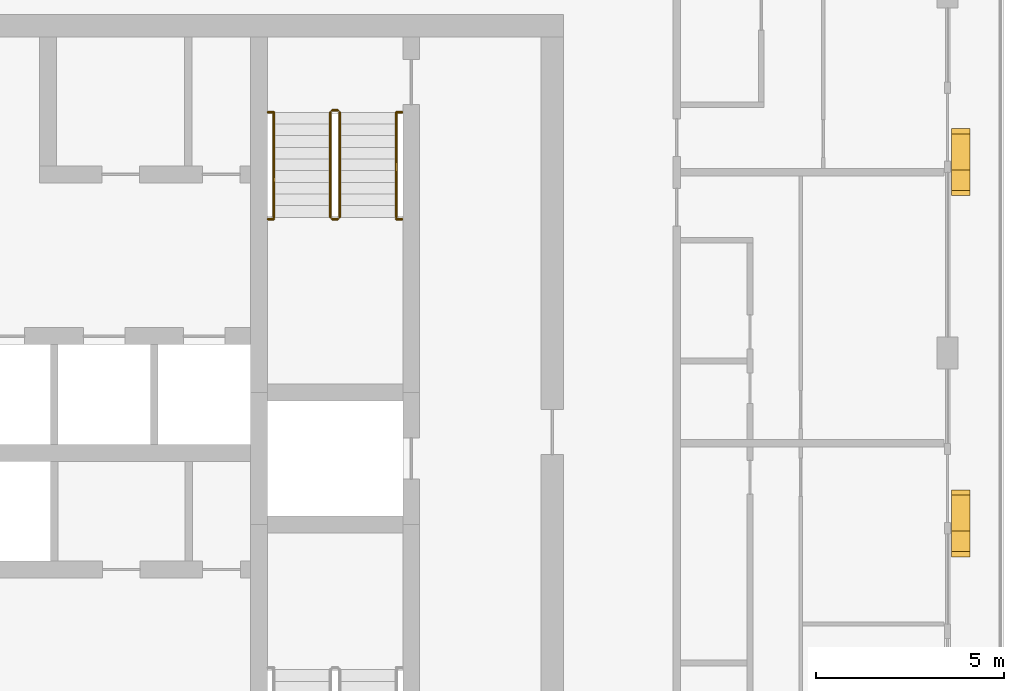
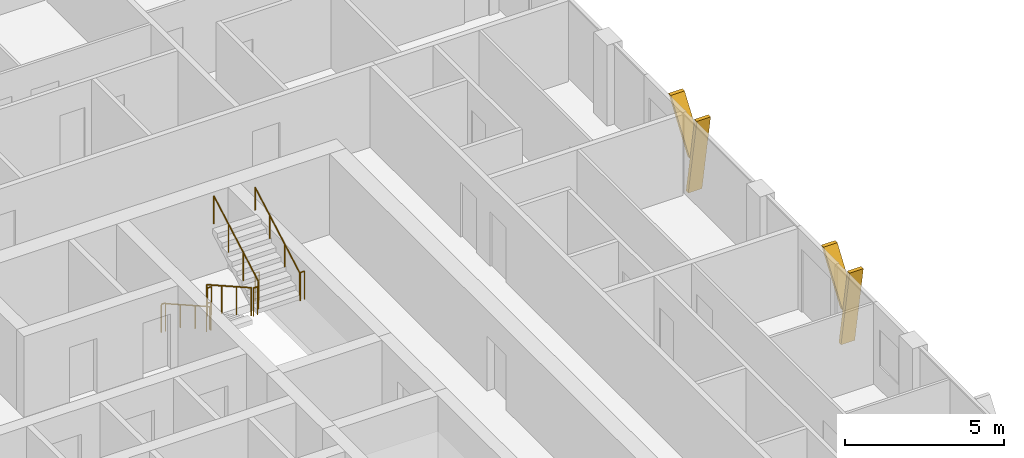
# One storey, part 21 of 22: 10 railings, 4 shading devices.
"""IFC4 building model written with IfcOpenShell, lengths in metres."""

from ifc_helpers import new_model, si_unit, direction, frame, origin, origin_2d, place, context, subcontext, project, spatial, polyline, circle, outline, extrude, material, type_object, element, save


model = new_model("IFC4")

# Units and contexts
model_context = context("Model", 3, precision=1e-05, world=origin(), true_north=direction((0.0, 1.0)))
body_context = subcontext(model_context, "Body", "Model", "MODEL_VIEW")
ifc_project = project(units=[si_unit("LENGTHUNIT", "METRE"), si_unit("AREAUNIT", "SQUARE_METRE"), si_unit("VOLUMEUNIT", "CUBIC_METRE"), si_unit("PLANEANGLEUNIT", "RADIAN"), si_unit("MASSUNIT", "GRAM", prefix="KILO")], contexts=[model_context])

# Site, building, storey
site_placement = place(None, origin())
site = spatial("IfcSite", under=ifc_project, at=site_placement, CompositionType="ELEMENT")
building_placement = place(site_placement, origin())
building = spatial("IfcBuilding", under=site, at=building_placement, Name="Madar Terraces", CompositionType="ELEMENT")
storey_placement = place(building_placement, frame((0.0, 0.0, 259.699951171875)))
storey = spatial("IfcBuildingStorey", under=building, at=storey_placement, Name="L68", CompositionType="ELEMENT", Elevation=259.699951171875)

# Shading devices
ifc_material_1 = material(Name="Aluminium, black anodised", Category="aluminium")
shading_device_type = type_object("IfcShadingDeviceType", Name="Facade fin blade 140 x 500", PredefinedType="USERDEFINED", material=ifc_material_1)
shading_device_1_placement = place(storey_placement, frame((57.949951171875, 23.929931640625, 0.0), z_axis=(0.0, 0.0, 1.0), x_axis=(0.0, 1.0, 0.0)))
element("IfcShadingDevice", 1, at=shading_device_1_placement, inside=storey, type_object=shading_device_type, Name="FIN L68 E2", ObjectType="FIN", PredefinedType="USERDEFINED", context=body_context, shape_type="SweptSolid", body=[
    extrude(outline(polyline([(0.0, 0.0), (0.14013671875, 0.0), (-0.403076171875, 3.080078125), (-0.54296875, 3.080078125), (0.0, 0.0)])), frame((0.0, 0.25, 0.0), z_axis=(0.0, -1.0, 0.0), x_axis=(1.0, 0.0, 0.0)), (0.0, 0.0, 1.0), 0.5),
])
shading_device_2_placement = place(storey_placement, frame((57.949951171875, 23.82568359375, 1.385986328125), z_axis=(0.0, 0.0, 1.0), x_axis=(0.0, 1.0, 0.0)))
element("IfcShadingDevice", 2, at=shading_device_2_placement, inside=storey, type_object=shading_device_type, Name="FIN L68 E2 branch", ObjectType="FIN", PredefinedType="USERDEFINED", context=body_context, shape_type="SweptSolid", body=[
    extrude(outline(polyline([(0.0, 0.0), (0.139892578125, 0.0), (1.34130859375, 1.694091796875), (1.201416015625, 1.694091796875), (0.0, 0.0)])), frame((0.0, 0.25, 0.0), z_axis=(0.0, -1.0, 0.0), x_axis=(1.0, 0.0, 0.0)), (0.0, 0.0, 1.0), 0.5),
])
shading_device_3_placement = place(storey_placement, frame((57.949951171875, 33.530029296875, 0.0), z_axis=(0.0, 0.0, 1.0), x_axis=(0.0, 1.0, 0.0)))
element("IfcShadingDevice", 3, at=shading_device_3_placement, inside=storey, type_object=shading_device_type, Name="FIN L68 E3", ObjectType="FIN", PredefinedType="USERDEFINED", context=body_context, shape_type="SweptSolid", body=[
    extrude(outline(polyline([(0.0, 0.0), (0.139892578125, 0.0), (-0.403076171875, 3.080078125), (-0.54296875, 3.080078125), (0.0, 0.0)])), frame((0.0, 0.25, 0.0), z_axis=(0.0, -1.0, 0.0), x_axis=(1.0, 0.0, 0.0)), (0.0, 0.0, 1.0), 0.5),
])
shading_device_4_placement = place(storey_placement, frame((57.949951171875, 33.425537109375, 1.385986328125), z_axis=(0.0, 0.0, 1.0), x_axis=(0.0, 1.0, 0.0)))
element("IfcShadingDevice", 4, at=shading_device_4_placement, inside=storey, type_object=shading_device_type, Name="FIN L68 E3 branch", ObjectType="FIN", PredefinedType="USERDEFINED", context=body_context, shape_type="SweptSolid", body=[
    extrude(outline(polyline([(0.0, 0.0), (0.14013671875, 0.0), (1.34130859375, 1.694091796875), (1.201416015625, 1.694091796875), (0.0, 0.0)])), frame((0.0, 0.25, 0.0), z_axis=(0.0, -1.0, 0.0), x_axis=(1.0, 0.0, 0.0)), (0.0, 0.0, 1.0), 0.5),
])

# Railings
ifc_material_2 = material(Name="Stainless steel railing", Category="steel")
railing_type_1 = type_object("IfcRailingType", Name="Stair guard 1100", PredefinedType="GUARDRAIL", material=ifc_material_2)
railing_1_placement = place(storey_placement, frame((41.199951171875, 35.199951171875, 0.175048828125)))
element("IfcRailing", 5, at=railing_1_placement, inside=storey, type_object=railing_type_1, Name="L68 ST2 stair guard 1", PredefinedType="GUARDRAIL", context=body_context, shape_type="SweptSolid", body=[
    extrude(circle(Radius=0.02392578125, at=origin_2d()), frame((0.0, 0.0, 1.076171875), z_axis=(0.0, -0.870833779661, 0.491577591232), x_axis=(1.0, 0.0, 0.0)), (0.0, 0.0, 1.0), 3.203857421875),
    extrude(circle(Radius=0.02099609375, at=origin_2d()), origin(), (0.0, 0.0, 1.0), 1.052001953125),
    extrude(circle(Radius=0.02099609375, at=origin_2d()), frame((0.0, -0.929931640625, 0.52490234375)), (0.0, 0.0, 1.0), 1.052001953125),
    extrude(circle(Radius=0.02099609375, at=origin_2d()), frame((0.0, -1.860107421875, 1.050048828125)), (0.0, 0.0, 1.0), 1.052001953125),
    extrude(circle(Radius=0.02099609375, at=origin_2d()), frame((0.0, -2.7900390625, 1.574951171875)), (0.0, 0.0, 1.0), 1.052001953125),
])
railing_2_placement = place(storey_placement, frame((41.25, 32.360107421875, 1.75)))
element("IfcRailing", 6, at=railing_2_placement, inside=storey, type_object=railing_type_1, Name="L68 ST2 stair guard 2", PredefinedType="GUARDRAIL", context=body_context, shape_type="SweptSolid", body=[
    extrude(circle(Radius=0.02392578125, at=origin_2d()), frame((0.0, 0.0, 1.076171875), z_axis=(1.0, 0.0, 0.0), x_axis=(0.0, 1.0, 0.0)), (0.0, 0.0, 1.0), 0.14990234375),
    extrude(circle(Radius=0.02099609375, at=origin_2d()), origin(), (0.0, 0.0, 1.0), 1.052001953125),
    extrude(circle(Radius=0.02099609375, at=origin_2d()), frame((0.14990234375, 0.0, 0.0)), (0.0, 0.0, 1.0), 1.052001953125),
])
railing_3_placement = place(storey_placement, frame((41.449951171875, 32.409912109375, 1.925048828125)))
element("IfcRailing", 7, at=railing_3_placement, inside=storey, type_object=railing_type_1, Name="L68 ST2 stair guard 3", PredefinedType="GUARDRAIL", context=body_context, shape_type="SweptSolid", body=[
    extrude(circle(Radius=0.02392578125, at=origin_2d()), frame((0.0, 0.0, 1.076171875), z_axis=(0.0, 0.870833779661, 0.491577591232), x_axis=(-1.0, 0.0, 0.0)), (0.0, 0.0, 1.0), 3.203857421875),
    extrude(circle(Radius=0.02099609375, at=origin_2d()), origin(), (0.0, 0.0, 1.0), 1.052001953125),
    extrude(circle(Radius=0.02099609375, at=origin_2d()), frame((0.0, 0.929931640625, 0.52490234375)), (0.0, 0.0, 1.0), 1.052001953125),
    extrude(circle(Radius=0.02099609375, at=origin_2d()), frame((0.0, 1.860107421875, 1.050048828125)), (0.0, 0.0, 1.0), 1.052001953125),
    extrude(circle(Radius=0.02099609375, at=origin_2d()), frame((0.0, 2.7900390625, 1.574951171875)), (0.0, 0.0, 1.0), 1.052001953125),
])
railing_4_placement = place(storey_placement, frame((41.25, 35.25, 0.0)))
element("IfcRailing", 8, at=railing_4_placement, inside=storey, type_object=railing_type_1, Name="L68 ST2 stair guard 4", PredefinedType="GUARDRAIL", context=body_context, shape_type="SweptSolid", body=[
    extrude(circle(Radius=0.02392578125, at=origin_2d()), frame((0.0, 0.0, 1.076171875), z_axis=(1.0, 0.0, 0.0), x_axis=(0.0, 1.0, 0.0)), (0.0, 0.0, 1.0), 0.14990234375),
    extrude(circle(Radius=0.02099609375, at=origin_2d()), origin(), (0.0, 0.0, 1.0), 1.052001953125),
    extrude(circle(Radius=0.02099609375, at=origin_2d()), frame((0.14990234375, 0.0, 0.0)), (0.0, 0.0, 1.0), 1.052001953125),
])
for number, where, name in (
    (9, (39.544921875, 32.360107421875, 1.75), "L68 stair guard seat 1"),
    (10, (42.949951171875, 32.360107421875, 1.75), "L68 stair guard seat 2"),
    (11, (39.544921875, 35.199951171875, 0.0), "L68 stair guard floor 1"),
    (12, (42.949951171875, 35.199951171875, 0.0), "L68 stair guard floor 2"),
):
    element("IfcRailing", number, at=place(storey_placement, frame(where)), inside=storey, type_object=railing_type_1, Name=name, PredefinedType="GUARDRAIL", context=body_context, shape_type="SweptSolid", body=[
        extrude(circle(Radius=0.02392578125, at=origin_2d()), frame((0.0, 0.0, 1.076171875), z_axis=(1.0, 0.0, 0.0), x_axis=(0.0, 1.0, 0.0)), (0.0, 0.0, 1.0), 0.155029296875),
        extrude(circle(Radius=0.02099609375, at=origin_2d()), origin(), (0.0, 0.0, 1.0), 1.052001953125),
        extrude(circle(Radius=0.02099609375, at=origin_2d()), frame((0.155029296875, 0.0, 0.0)), (0.0, 0.0, 1.0), 1.052001953125),
    ])
ifc_material_3 = material(Name="Stainless steel railing", Category="steel")
railing_type_2 = type_object("IfcRailingType", Name="Stair handrail 900", PredefinedType="HANDRAIL", material=ifc_material_3)
railing_5_placement = place(storey_placement, frame((39.699951171875, 35.199951171875, 0.175048828125)))
element("IfcRailing", 13, at=railing_5_placement, inside=storey, type_object=railing_type_2, Name="L68 ST2 stair handrail 1", PredefinedType="HANDRAIL", context=body_context, shape_type="SweptSolid", body=[
    extrude(circle(Radius=0.02392578125, at=origin_2d()), frame((0.0, 0.0, 0.8759765625), z_axis=(0.0, -0.870833779661, 0.491577591232), x_axis=(1.0, 0.0, 0.0)), (0.0, 0.0, 1.0), 3.203857421875),
    extrude(circle(Radius=0.02099609375, at=origin_2d()), origin(), (0.0, 0.0, 1.0), 0.851806640625),
    extrude(circle(Radius=0.02099609375, at=origin_2d()), frame((0.0, -0.929931640625, 0.52490234375)), (0.0, 0.0, 1.0), 0.851806640625),
    extrude(circle(Radius=0.02099609375, at=origin_2d()), frame((0.0, -1.860107421875, 1.050048828125)), (0.0, 0.0, 1.0), 0.851806640625),
    extrude(circle(Radius=0.02099609375, at=origin_2d()), frame((0.0, -2.7900390625, 1.574951171875)), (0.0, 0.0, 1.0), 0.851806640625),
])
railing_6_placement = place(storey_placement, frame((42.949951171875, 32.409912109375, 1.925048828125)))
element("IfcRailing", 14, at=railing_6_placement, inside=storey, type_object=railing_type_2, Name="L68 ST2 stair handrail 2", PredefinedType="HANDRAIL", context=body_context, shape_type="SweptSolid", body=[
    extrude(circle(Radius=0.02392578125, at=origin_2d()), frame((0.0, 0.0, 0.8759765625), z_axis=(0.0, 0.870833779661, 0.491577591232), x_axis=(-1.0, 0.0, 0.0)), (0.0, 0.0, 1.0), 3.203857421875),
    extrude(circle(Radius=0.02099609375, at=origin_2d()), origin(), (0.0, 0.0, 1.0), 0.851806640625),
    extrude(circle(Radius=0.02099609375, at=origin_2d()), frame((0.0, 0.929931640625, 0.52490234375)), (0.0, 0.0, 1.0), 0.851806640625),
    extrude(circle(Radius=0.02099609375, at=origin_2d()), frame((0.0, 1.860107421875, 1.050048828125)), (0.0, 0.0, 1.0), 0.851806640625),
    extrude(circle(Radius=0.02099609375, at=origin_2d()), frame((0.0, 2.7900390625, 1.574951171875)), (0.0, 0.0, 1.0), 0.851806640625),
])

save(model, "model.ifc")
